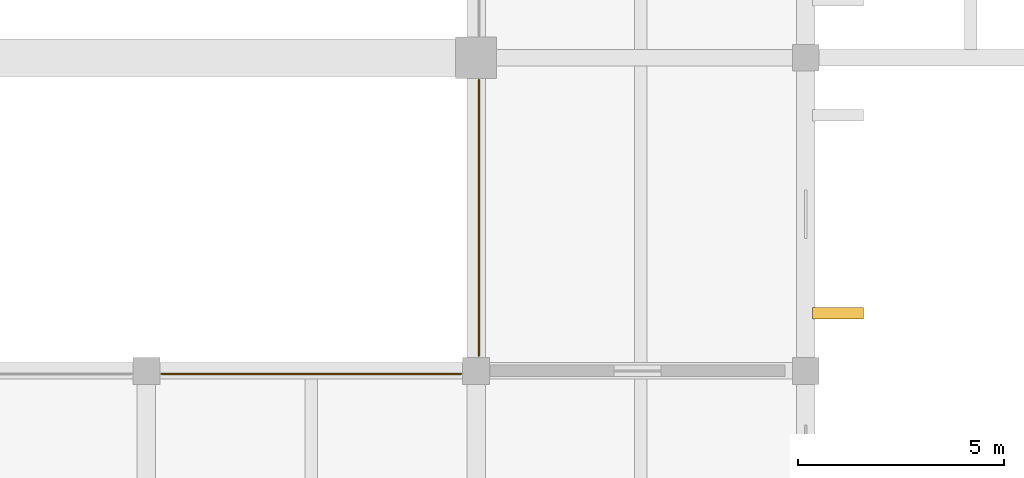
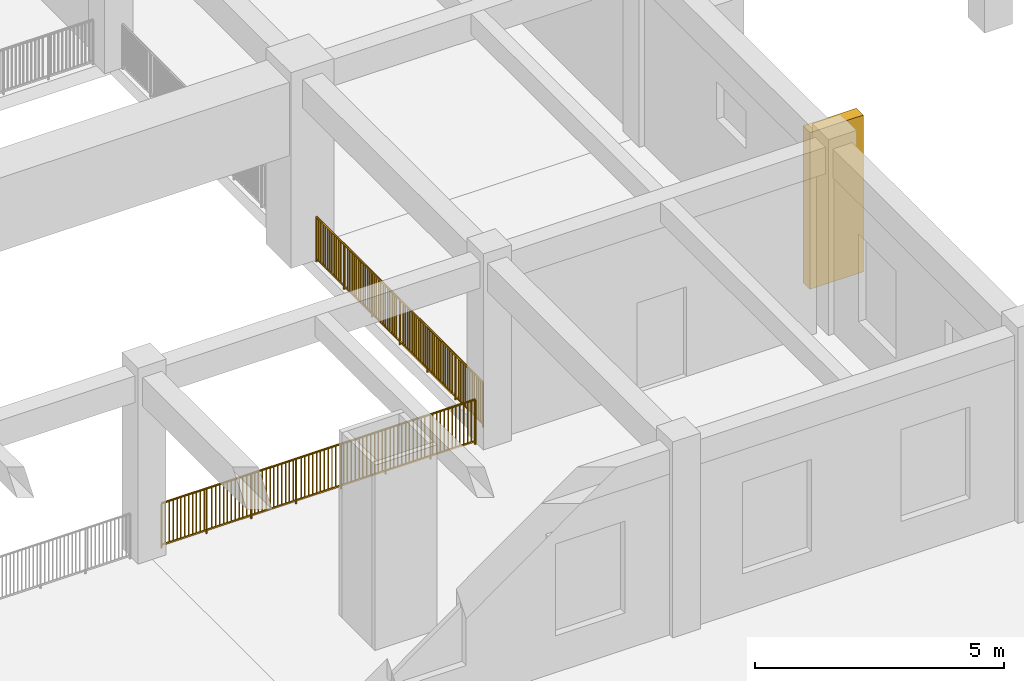
# One storey, part 87 of 101: 2 railings, 1 shading device.
"""IFC4 building model written with IfcOpenShell, lengths in metres."""

import ifcopenshell
import ifcopenshell.guid

model = None  # the IFC model being written
_history = None  # IfcOwnerHistory: only IFC2X3 demands one
_inside = {}  # id of a spatial element -> (the spatial element, [elements in it])
_under = {}  # id of a project, library or spatial element -> (it, [spatial elements below it])
_declared = {}  # id of a project -> (the project, [libraries it declares])
_typed = {}  # id of a type object -> (the type object, [elements of that type])
_made_of = {}  # id of a material, layer set ... -> (it, [elements and type objects made of it])


def new_model(schema):
    """Start an empty IFC model of exactly this schema.

    Asked for "IFC4X3", IfcOpenShell would pick the latest addendum, in which some entities
    have other attributes; the version numbers below select the first issue.
    IFC2X3 requires an IfcOwnerHistory on every rooted entity: one is made here for all.
    """
    global model, _history
    if schema == "IFC4X3":
        model = ifcopenshell.file(schema_version=(4, 3, 0, 0))
    else:
        model = ifcopenshell.file(schema=schema)
    _inside.clear()
    _under.clear()
    _declared.clear()
    _typed.clear()
    _made_of.clear()
    _history = None
    if model.schema == "IFC2X3":
        org = make("IfcOrganization", Name="unknown")
        user = make(
            "IfcPersonAndOrganization",
            ThePerson=make("IfcPerson", FamilyName="unknown"),
            TheOrganization=org,
        )
        app = make(
            "IfcApplication",
            ApplicationDeveloper=org,
            Version="unknown",
            ApplicationFullName="unknown",
            ApplicationIdentifier="unknown",
        )
        _history = make(
            "IfcOwnerHistory",
            OwningUser=user,
            OwningApplication=app,
            ChangeAction="ADDED",
            CreationDate=0,
        )
    return model


def make(cls, **values):
    """One entity of the class cls with the attributes given. An attribute that is None is left unset."""
    return model.create_entity(
        cls, **{name: value for name, value in values.items() if value is not None}
    )


def rooted(cls, **values):
    """An entity with a GlobalId (a new one), such as an element, a storey or a relation."""
    return make(cls, GlobalId=ifcopenshell.guid.new(), OwnerHistory=_history, **values)


def si_unit(unit_type, name, prefix=None):
    """IfcSIUnit, for example si_unit("LENGTHUNIT", "METRE", prefix="MILLI")."""
    return make("IfcSIUnit", UnitType=unit_type, Prefix=prefix, Name=name)


def assignment(units):
    """IfcUnitAssignment: the units of a project."""
    return None if units is None else make("IfcUnitAssignment", Units=units)


def point(xyz):
    """IfcCartesianPoint."""
    return None if xyz is None else make("IfcCartesianPoint", Coordinates=xyz)


def direction(xyz):
    """IfcDirection."""
    return None if xyz is None else make("IfcDirection", DirectionRatios=xyz)


def frame(location, z_axis=None, x_axis=None):
    """IfcAxis2Placement3D, a coordinate frame: its origin and axes. An axis left out is left unset."""
    return make(
        "IfcAxis2Placement3D",
        Location=point(location),
        Axis=direction(z_axis),
        RefDirection=direction(x_axis),
    )


def frame_2d(location, x_axis=None):
    """IfcAxis2Placement2D, a coordinate frame in the plane: its origin and x axis."""
    return make(
        "IfcAxis2Placement2D", Location=point(location), RefDirection=direction(x_axis)
    )


def origin():
    """The frame at (0, 0, 0) with its axes left unset."""
    return frame((0.0, 0.0, 0.0))


def origin_2d():
    """The frame at (0, 0) in the plane with its x axis left unset."""
    return frame_2d((0.0, 0.0))


def place(relative_to, where):
    """IfcLocalPlacement: puts the frame where relative to a parent placement (None: the world)."""
    return make(
        "IfcLocalPlacement", PlacementRelTo=relative_to, RelativePlacement=where
    )


def context(
    kind, dimensions, precision=None, world=None, true_north=None, identifier=None
):
    """IfcGeometricRepresentationContext, for example the 3D "Model" context."""
    return make(
        "IfcGeometricRepresentationContext",
        ContextIdentifier=identifier,
        ContextType=kind,
        CoordinateSpaceDimension=dimensions,
        Precision=precision,
        WorldCoordinateSystem=world,
        TrueNorth=true_north,
    )


def subcontext(parent, identifier, kind, view, scale=None):
    """IfcGeometricRepresentationSubContext, for example "Body" below "Model"."""
    return make(
        "IfcGeometricRepresentationSubContext",
        ContextIdentifier=identifier,
        ContextType=kind,
        ParentContext=parent,
        TargetScale=scale,
        TargetView=view,
    )


def project(units=None, contexts=None):
    """IfcProject with its units and contexts."""
    return rooted(
        "IfcProject",
        Name="project",
        RepresentationContexts=contexts,
        UnitsInContext=assignment(units),
    )


def spatial(cls, under=None, at=None, **own):
    """A site, building, storey or space (cls), placed at a placement, below another one or the project."""
    s = rooted(cls, ObjectPlacement=at, **own)
    if under is not None:
        _under.setdefault(under.id(), (under, []))[1].append(s)
    return s


def profile(cls, at=None, kind="AREA", **sizes):
    """A parametric profile (cls). Its sizes go by their IFC names, for example OverallWidth=200.0."""
    return make(cls, ProfileType=kind, Position=at, **sizes)


def rectangle(**sizes):
    """IfcRectangleProfileDef."""
    return profile("IfcRectangleProfileDef", **sizes)


def circle(**sizes):
    """IfcCircleProfileDef."""
    return profile("IfcCircleProfileDef", **sizes)


def extrude(swept, where, along, depth):
    """IfcExtrudedAreaSolid: the profile swept, set in the frame where, extruded along a direction by depth."""
    return make(
        "IfcExtrudedAreaSolid",
        SweptArea=swept,
        Position=where,
        ExtrudedDirection=direction(along),
        Depth=depth,
    )


def shape(context_of_items, identifier, shape_type, items):
    """IfcShapeRepresentation: the items that make up one representation, for example the "Body"."""
    return make(
        "IfcShapeRepresentation",
        ContextOfItems=context_of_items,
        RepresentationIdentifier=identifier,
        RepresentationType=shape_type,
        Items=items,
    )


def material(Name=None, Category=None):
    """IfcMaterial."""
    return make("IfcMaterial", Name=Name, Category=Category)


def made_of(thing, what):
    """Note that an element or type object is made of a material, layer set ...; save() writes the relation."""
    if what is not None:
        _made_of.setdefault(what.id(), (what, []))[1].append(thing)
    return thing


def type_object(cls, material=None, **own):
    """A type object (cls), such as IfcWallType, which elements share."""
    return made_of(rooted(cls, **own), material)


def element(
    cls,
    number,
    at=None,
    inside=None,
    cuts=None,
    type_object=None,
    material=None,
    context=None,
    identifier="Body",
    shape_type=None,
    held_by="IfcProductDefinitionShape",
    body=None,
    shapes=None,
    **own,
):
    """One element of the class cls, such as IfcWall. Its Tag is "e" and its number.

    at: its placement. inside: the storey or other place that contains it. cuts: it is an
    opening in that element (IfcRelVoidsElement). A single representation is given by context,
    identifier, shape_type and body (its items); several are given by shapes. held_by: the class
    of the entity that holds the representations. save() writes the other relations.
    """
    e = rooted(cls, Tag="e%d" % number, ObjectPlacement=at, **own)
    if body is not None:
        shapes = [shape(context, identifier, shape_type, body)]
    if shapes is not None:
        e.Representation = make(held_by, Representations=shapes)
    if inside is not None:
        _inside.setdefault(inside.id(), (inside, []))[1].append(e)
    if cuts is not None:
        rooted(
            "IfcRelVoidsElement", RelatingBuildingElement=cuts, RelatedOpeningElement=e
        )
    if type_object is not None:
        _typed.setdefault(type_object.id(), (type_object, []))[1].append(e)
    return made_of(e, material)


def aggregate(whole, parts):
    """IfcRelAggregates: a whole, such as a stair, and the parts it consists of."""
    return rooted("IfcRelAggregates", RelatingObject=whole, RelatedObjects=parts)


def save(model, path):
    """Write the relations noted so far, then the file.

    IfcRelAggregates (storeys below a building ...), IfcRelContainedInSpatialStructure (elements
    in a storey), IfcRelDefinesByType, IfcRelAssociatesMaterial and IfcRelDeclares: one each for
    every whole, place, type object, material and project.
    """
    for whole, parts in _under.values():
        aggregate(whole, parts)
    for where, things in _inside.values():
        rooted(
            "IfcRelContainedInSpatialStructure",
            RelatedElements=things,
            RelatingStructure=where,
        )
    for kind, things in _typed.values():
        rooted("IfcRelDefinesByType", RelatedObjects=things, RelatingType=kind)
    for what, things in _made_of.values():
        rooted("IfcRelAssociatesMaterial", RelatedObjects=things, RelatingMaterial=what)
    for by, libraries in _declared.values():
        rooted("IfcRelDeclares", RelatingContext=by, RelatedDefinitions=libraries)
    model.write(path)


model = new_model("IFC4")

# Units and contexts
model_context = context("Model", 3, precision=1e-05, world=origin(), true_north=direction((0.0, 1.0)))
body_context = subcontext(model_context, "Body", "Model", "MODEL_VIEW")
ifc_project = project(units=[si_unit("LENGTHUNIT", "METRE"), si_unit("AREAUNIT", "SQUARE_METRE"), si_unit("VOLUMEUNIT", "CUBIC_METRE"), si_unit("PLANEANGLEUNIT", "RADIAN"), si_unit("MASSUNIT", "GRAM", prefix="KILO")], contexts=[model_context])

# Site, building, storey
site_placement = place(None, origin())
site = spatial("IfcSite", under=ifc_project, at=site_placement, CompositionType="ELEMENT")
building_placement = place(site_placement, origin())
building = spatial("IfcBuilding", under=site, at=building_placement, Name="Zantavel Square City Hall", CompositionType="ELEMENT")
storey_placement = place(building_placement, frame((0.0, 0.0, 5.39990234375)))
storey = spatial("IfcBuildingStorey", under=building, at=storey_placement, Name="L02", CompositionType="ELEMENT", Elevation=5.39990234375)

# Railings
ifc_material_1 = material(Name="Steel ASTM A500 Grade B", Category="steel")
railing_type = type_object("IfcRailingType", Name="Atrium & Gallery Steel Guard Railing 1100mm", PredefinedType="GUARDRAIL", material=ifc_material_1)
railing_1_placement = place(storey_placement, frame((32.364990234375, 15.1298828125, 0.0)))
element("IfcRailing", 1, at=railing_1_placement, inside=storey, type_object=railing_type, Name="L02 Atrium Void Guard 006", PredefinedType="GUARDRAIL", context=body_context, shape_type="SweptSolid", body=[
    extrude(circle(Radius=0.02392578125, at=origin_2d()), frame((0.0, 0.0, 1.09619140625), z_axis=(1.0, 0.0, 0.0), x_axis=(0.0, 1.0, 0.0)), (0.0, 0.0, 1.0), 7.27001953125),
    extrude(rectangle(XDim=0.031982421875, YDim=0.031982421875, at=origin_2d()), frame((0.0, 0.0, 0.080078125), z_axis=(1.0, 0.0, 0.0), x_axis=(0.0, 1.0, 0.0)), (0.0, 0.0, 1.0), 7.27001953125),
    extrude(rectangle(XDim=0.02197265625, YDim=0.02197265625, at=origin_2d()), frame((0.08984375, 0.0, 0.080078125)), (0.0, 0.0, 1.0), 0.991943359375),
    extrude(rectangle(XDim=0.02197265625, YDim=0.02197265625, at=origin_2d()), frame((0.179443359375, 0.0, 0.080078125)), (0.0, 0.0, 1.0), 0.991943359375),
    extrude(rectangle(XDim=0.02197265625, YDim=0.02197265625, at=origin_2d()), frame((0.269287109375, 0.0, 0.080078125)), (0.0, 0.0, 1.0), 0.991943359375),
    extrude(rectangle(XDim=0.02197265625, YDim=0.02197265625, at=origin_2d()), frame((0.359130859375, 0.0, 0.080078125)), (0.0, 0.0, 1.0), 0.991943359375),
    extrude(rectangle(XDim=0.02197265625, YDim=0.02197265625, at=origin_2d()), frame((0.44873046875, 0.0, 0.080078125)), (0.0, 0.0, 1.0), 0.991943359375),
    extrude(rectangle(XDim=0.02197265625, YDim=0.02197265625, at=origin_2d()), frame((0.53857421875, 0.0, 0.080078125)), (0.0, 0.0, 1.0), 0.991943359375),
    extrude(rectangle(XDim=0.02197265625, YDim=0.02197265625, at=origin_2d()), frame((0.628173828125, 0.0, 0.080078125)), (0.0, 0.0, 1.0), 0.991943359375),
    extrude(rectangle(XDim=0.02197265625, YDim=0.02197265625, at=origin_2d()), frame((0.718017578125, 0.0, 0.080078125)), (0.0, 0.0, 1.0), 0.991943359375),
    extrude(rectangle(XDim=0.02197265625, YDim=0.02197265625, at=origin_2d()), frame((0.807861328125, 0.0, 0.080078125)), (0.0, 0.0, 1.0), 0.991943359375),
    extrude(rectangle(XDim=0.02197265625, YDim=0.02197265625, at=origin_2d()), frame((0.8974609375, 0.0, 0.080078125)), (0.0, 0.0, 1.0), 0.991943359375),
    extrude(rectangle(XDim=0.02197265625, YDim=0.02197265625, at=origin_2d()), frame((0.9873046875, 0.0, 0.080078125)), (0.0, 0.0, 1.0), 0.991943359375),
    extrude(rectangle(XDim=0.02197265625, YDim=0.02197265625, at=origin_2d()), frame((1.166748046875, 0.0, 0.080078125)), (0.0, 0.0, 1.0), 0.991943359375),
    extrude(rectangle(XDim=0.02197265625, YDim=0.02197265625, at=origin_2d()), frame((1.256591796875, 0.0, 0.080078125)), (0.0, 0.0, 1.0), 0.991943359375),
    extrude(rectangle(XDim=0.02197265625, YDim=0.02197265625, at=origin_2d()), frame((1.34619140625, 0.0, 0.080078125)), (0.0, 0.0, 1.0), 0.991943359375),
    extrude(rectangle(XDim=0.02197265625, YDim=0.02197265625, at=origin_2d()), frame((1.43603515625, 0.0, 0.080078125)), (0.0, 0.0, 1.0), 0.991943359375),
    extrude(rectangle(XDim=0.02197265625, YDim=0.02197265625, at=origin_2d()), frame((1.52587890625, 0.0, 0.080078125)), (0.0, 0.0, 1.0), 0.991943359375),
    extrude(rectangle(XDim=0.02197265625, YDim=0.02197265625, at=origin_2d()), frame((1.615478515625, 0.0, 0.080078125)), (0.0, 0.0, 1.0), 0.991943359375),
    extrude(rectangle(XDim=0.02197265625, YDim=0.02197265625, at=origin_2d()), frame((1.705322265625, 0.0, 0.080078125)), (0.0, 0.0, 1.0), 0.991943359375),
    extrude(rectangle(XDim=0.02197265625, YDim=0.02197265625, at=origin_2d()), frame((1.795166015625, 0.0, 0.080078125)), (0.0, 0.0, 1.0), 0.991943359375),
    extrude(rectangle(XDim=0.02197265625, YDim=0.02197265625, at=origin_2d()), frame((1.884765625, 0.0, 0.080078125)), (0.0, 0.0, 1.0), 0.991943359375),
    extrude(rectangle(XDim=0.02197265625, YDim=0.02197265625, at=origin_2d()), frame((1.974609375, 0.0, 0.080078125)), (0.0, 0.0, 1.0), 0.991943359375),
    extrude(rectangle(XDim=0.02197265625, YDim=0.02197265625, at=origin_2d()), frame((2.154052734375, 0.0, 0.080078125)), (0.0, 0.0, 1.0), 0.991943359375),
    extrude(rectangle(XDim=0.02197265625, YDim=0.02197265625, at=origin_2d()), frame((2.243896484375, 0.0, 0.080078125)), (0.0, 0.0, 1.0), 0.991943359375),
    extrude(rectangle(XDim=0.02197265625, YDim=0.02197265625, at=origin_2d()), frame((2.33349609375, 0.0, 0.080078125)), (0.0, 0.0, 1.0), 0.991943359375),
    extrude(rectangle(XDim=0.02197265625, YDim=0.02197265625, at=origin_2d()), frame((2.42333984375, 0.0, 0.080078125)), (0.0, 0.0, 1.0), 0.991943359375),
    extrude(rectangle(XDim=0.02197265625, YDim=0.02197265625, at=origin_2d()), frame((2.51318359375, 0.0, 0.080078125)), (0.0, 0.0, 1.0), 0.991943359375),
    extrude(rectangle(XDim=0.02197265625, YDim=0.02197265625, at=origin_2d()), frame((2.602783203125, 0.0, 0.080078125)), (0.0, 0.0, 1.0), 0.991943359375),
    extrude(rectangle(XDim=0.02197265625, YDim=0.02197265625, at=origin_2d()), frame((2.692626953125, 0.0, 0.080078125)), (0.0, 0.0, 1.0), 0.991943359375),
    extrude(rectangle(XDim=0.02197265625, YDim=0.02197265625, at=origin_2d()), frame((2.782470703125, 0.0, 0.080078125)), (0.0, 0.0, 1.0), 0.991943359375),
    extrude(rectangle(XDim=0.02197265625, YDim=0.02197265625, at=origin_2d()), frame((2.8720703125, 0.0, 0.080078125)), (0.0, 0.0, 1.0), 0.991943359375),
    extrude(rectangle(XDim=0.02197265625, YDim=0.02197265625, at=origin_2d()), frame((2.9619140625, 0.0, 0.080078125)), (0.0, 0.0, 1.0), 0.991943359375),
    extrude(rectangle(XDim=0.02197265625, YDim=0.02197265625, at=origin_2d()), frame((3.051513671875, 0.0, 0.080078125)), (0.0, 0.0, 1.0), 0.991943359375),
    extrude(rectangle(XDim=0.02197265625, YDim=0.02197265625, at=origin_2d()), frame((3.231201171875, 0.0, 0.080078125)), (0.0, 0.0, 1.0), 0.991943359375),
    extrude(rectangle(XDim=0.02197265625, YDim=0.02197265625, at=origin_2d()), frame((3.32080078125, 0.0, 0.080078125)), (0.0, 0.0, 1.0), 0.991943359375),
    extrude(rectangle(XDim=0.02197265625, YDim=0.02197265625, at=origin_2d()), frame((3.41064453125, 0.0, 0.080078125)), (0.0, 0.0, 1.0), 0.991943359375),
    extrude(rectangle(XDim=0.02197265625, YDim=0.02197265625, at=origin_2d()), frame((3.50048828125, 0.0, 0.080078125)), (0.0, 0.0, 1.0), 0.991943359375),
    extrude(rectangle(XDim=0.02197265625, YDim=0.02197265625, at=origin_2d()), frame((3.590087890625, 0.0, 0.080078125)), (0.0, 0.0, 1.0), 0.991943359375),
    extrude(rectangle(XDim=0.02197265625, YDim=0.02197265625, at=origin_2d()), frame((3.679931640625, 0.0, 0.080078125)), (0.0, 0.0, 1.0), 0.991943359375),
    extrude(rectangle(XDim=0.02197265625, YDim=0.02197265625, at=origin_2d()), frame((3.76953125, 0.0, 0.080078125)), (0.0, 0.0, 1.0), 0.991943359375),
    extrude(rectangle(XDim=0.02197265625, YDim=0.02197265625, at=origin_2d()), frame((3.859375, 0.0, 0.080078125)), (0.0, 0.0, 1.0), 0.991943359375),
    extrude(rectangle(XDim=0.02197265625, YDim=0.02197265625, at=origin_2d()), frame((3.94921875, 0.0, 0.080078125)), (0.0, 0.0, 1.0), 0.991943359375),
    extrude(rectangle(XDim=0.02197265625, YDim=0.02197265625, at=origin_2d()), frame((4.038818359375, 0.0, 0.080078125)), (0.0, 0.0, 1.0), 0.991943359375),
    extrude(rectangle(XDim=0.02197265625, YDim=0.02197265625, at=origin_2d()), frame((4.218505859375, 0.0, 0.080078125)), (0.0, 0.0, 1.0), 0.991943359375),
    extrude(rectangle(XDim=0.02197265625, YDim=0.02197265625, at=origin_2d()), frame((4.30810546875, 0.0, 0.080078125)), (0.0, 0.0, 1.0), 0.991943359375),
    extrude(rectangle(XDim=0.02197265625, YDim=0.02197265625, at=origin_2d()), frame((4.39794921875, 0.0, 0.080078125)), (0.0, 0.0, 1.0), 0.991943359375),
    extrude(rectangle(XDim=0.02197265625, YDim=0.02197265625, at=origin_2d()), frame((4.487548828125, 0.0, 0.080078125)), (0.0, 0.0, 1.0), 0.991943359375),
    extrude(rectangle(XDim=0.02197265625, YDim=0.02197265625, at=origin_2d()), frame((4.577392578125, 0.0, 0.080078125)), (0.0, 0.0, 1.0), 0.991943359375),
    extrude(rectangle(XDim=0.02197265625, YDim=0.02197265625, at=origin_2d()), frame((4.667236328125, 0.0, 0.080078125)), (0.0, 0.0, 1.0), 0.991943359375),
    extrude(rectangle(XDim=0.02197265625, YDim=0.02197265625, at=origin_2d()), frame((4.7568359375, 0.0, 0.080078125)), (0.0, 0.0, 1.0), 0.991943359375),
    extrude(rectangle(XDim=0.02197265625, YDim=0.02197265625, at=origin_2d()), frame((4.8466796875, 0.0, 0.080078125)), (0.0, 0.0, 1.0), 0.991943359375),
    extrude(rectangle(XDim=0.02197265625, YDim=0.02197265625, at=origin_2d()), frame((4.9365234375, 0.0, 0.080078125)), (0.0, 0.0, 1.0), 0.991943359375),
    extrude(rectangle(XDim=0.02197265625, YDim=0.02197265625, at=origin_2d()), frame((5.026123046875, 0.0, 0.080078125)), (0.0, 0.0, 1.0), 0.991943359375),
    extrude(rectangle(XDim=0.02197265625, YDim=0.02197265625, at=origin_2d()), frame((5.115966796875, 0.0, 0.080078125)), (0.0, 0.0, 1.0), 0.991943359375),
    extrude(rectangle(XDim=0.02197265625, YDim=0.02197265625, at=origin_2d()), frame((5.29541015625, 0.0, 0.080078125)), (0.0, 0.0, 1.0), 0.991943359375),
    extrude(rectangle(XDim=0.02197265625, YDim=0.02197265625, at=origin_2d()), frame((5.38525390625, 0.0, 0.080078125)), (0.0, 0.0, 1.0), 0.991943359375),
    extrude(rectangle(XDim=0.02197265625, YDim=0.02197265625, at=origin_2d()), frame((5.474853515625, 0.0, 0.080078125)), (0.0, 0.0, 1.0), 0.991943359375),
    extrude(rectangle(XDim=0.02197265625, YDim=0.02197265625, at=origin_2d()), frame((5.564697265625, 0.0, 0.080078125)), (0.0, 0.0, 1.0), 0.991943359375),
    extrude(rectangle(XDim=0.02197265625, YDim=0.02197265625, at=origin_2d()), frame((5.654541015625, 0.0, 0.080078125)), (0.0, 0.0, 1.0), 0.991943359375),
    extrude(rectangle(XDim=0.02197265625, YDim=0.02197265625, at=origin_2d()), frame((5.744140625, 0.0, 0.080078125)), (0.0, 0.0, 1.0), 0.991943359375),
    extrude(rectangle(XDim=0.02197265625, YDim=0.02197265625, at=origin_2d()), frame((5.833984375, 0.0, 0.080078125)), (0.0, 0.0, 1.0), 0.991943359375),
    extrude(rectangle(XDim=0.02197265625, YDim=0.02197265625, at=origin_2d()), frame((5.923828125, 0.0, 0.080078125)), (0.0, 0.0, 1.0), 0.991943359375),
    extrude(rectangle(XDim=0.02197265625, YDim=0.02197265625, at=origin_2d()), frame((6.013427734375, 0.0, 0.080078125)), (0.0, 0.0, 1.0), 0.991943359375),
    extrude(rectangle(XDim=0.02197265625, YDim=0.02197265625, at=origin_2d()), frame((6.103271484375, 0.0, 0.080078125)), (0.0, 0.0, 1.0), 0.991943359375),
    extrude(rectangle(XDim=0.02197265625, YDim=0.02197265625, at=origin_2d()), frame((6.28271484375, 0.0, 0.080078125)), (0.0, 0.0, 1.0), 0.991943359375),
    extrude(rectangle(XDim=0.02197265625, YDim=0.02197265625, at=origin_2d()), frame((6.37255859375, 0.0, 0.080078125)), (0.0, 0.0, 1.0), 0.991943359375),
    extrude(rectangle(XDim=0.02197265625, YDim=0.02197265625, at=origin_2d()), frame((6.462158203125, 0.0, 0.080078125)), (0.0, 0.0, 1.0), 0.991943359375),
    extrude(rectangle(XDim=0.02197265625, YDim=0.02197265625, at=origin_2d()), frame((6.552001953125, 0.0, 0.080078125)), (0.0, 0.0, 1.0), 0.991943359375),
    extrude(rectangle(XDim=0.02197265625, YDim=0.02197265625, at=origin_2d()), frame((6.641845703125, 0.0, 0.080078125)), (0.0, 0.0, 1.0), 0.991943359375),
    extrude(rectangle(XDim=0.02197265625, YDim=0.02197265625, at=origin_2d()), frame((6.7314453125, 0.0, 0.080078125)), (0.0, 0.0, 1.0), 0.991943359375),
    extrude(rectangle(XDim=0.02197265625, YDim=0.02197265625, at=origin_2d()), frame((6.8212890625, 0.0, 0.080078125)), (0.0, 0.0, 1.0), 0.991943359375),
    extrude(rectangle(XDim=0.02197265625, YDim=0.02197265625, at=origin_2d()), frame((6.910888671875, 0.0, 0.080078125)), (0.0, 0.0, 1.0), 0.991943359375),
    extrude(rectangle(XDim=0.02197265625, YDim=0.02197265625, at=origin_2d()), frame((7.000732421875, 0.0, 0.080078125)), (0.0, 0.0, 1.0), 0.991943359375),
    extrude(rectangle(XDim=0.02197265625, YDim=0.02197265625, at=origin_2d()), frame((7.090576171875, 0.0, 0.080078125)), (0.0, 0.0, 1.0), 0.991943359375),
    extrude(rectangle(XDim=0.02197265625, YDim=0.02197265625, at=origin_2d()), frame((7.18017578125, 0.0, 0.080078125)), (0.0, 0.0, 1.0), 0.991943359375),
    extrude(circle(Radius=0.02099609375, at=origin_2d()), origin(), (0.0, 0.0, 1.0), 1.072021484375),
    extrude(circle(Radius=0.02099609375, at=origin_2d()), frame((1.03857421875, 0.0, 0.0)), (0.0, 0.0, 1.0), 1.072021484375),
    extrude(circle(Radius=0.02099609375, at=origin_2d()), frame((2.0771484375, 0.0, 0.0)), (0.0, 0.0, 1.0), 1.072021484375),
    extrude(circle(Radius=0.02099609375, at=origin_2d()), frame((3.11572265625, 0.0, 0.0)), (0.0, 0.0, 1.0), 1.072021484375),
    extrude(circle(Radius=0.02099609375, at=origin_2d()), frame((4.154296875, 0.0, 0.0)), (0.0, 0.0, 1.0), 1.072021484375),
    extrude(circle(Radius=0.02099609375, at=origin_2d()), frame((5.19287109375, 0.0, 0.0)), (0.0, 0.0, 1.0), 1.072021484375),
    extrude(circle(Radius=0.02099609375, at=origin_2d()), frame((6.2314453125, 0.0, 0.0)), (0.0, 0.0, 1.0), 1.072021484375),
    extrude(circle(Radius=0.02099609375, at=origin_2d()), frame((7.27001953125, 0.0, 0.0)), (0.0, 0.0, 1.0), 1.072021484375),
])
railing_2_placement = place(storey_placement, frame((40.070068359375, 15.56494140625, 0.0)))
element("IfcRailing", 2, at=railing_2_placement, inside=storey, type_object=railing_type, Name="L02 Atrium Void Guard 008", PredefinedType="GUARDRAIL", context=body_context, shape_type="SweptSolid", body=[
    extrude(circle(Radius=0.02392578125, at=origin_2d()), frame((0.0, 0.0, 1.09619140625), z_axis=(0.0, 1.0, 0.0), x_axis=(-1.0, 0.0, 0.0)), (0.0, 0.0, 1.0), 6.695068359375),
    extrude(rectangle(XDim=0.031982421875, YDim=0.031982421875, at=origin_2d()), frame((0.0, 0.0, 0.080078125), z_axis=(0.0, 1.0, 0.0), x_axis=(-1.0, 0.0, 0.0)), (0.0, 0.0, 1.0), 6.695068359375),
    extrude(rectangle(XDim=0.02197265625, YDim=0.02197265625, at=origin_2d()), frame((0.0, 0.08935546875, 0.080078125)), (0.0, 0.0, 1.0), 0.991943359375),
    extrude(rectangle(XDim=0.02197265625, YDim=0.02197265625, at=origin_2d()), frame((0.0, 0.178466796875, 0.080078125)), (0.0, 0.0, 1.0), 0.991943359375),
    extrude(rectangle(XDim=0.02197265625, YDim=0.02197265625, at=origin_2d()), frame((0.0, 0.267822265625, 0.080078125)), (0.0, 0.0, 1.0), 0.991943359375),
    extrude(rectangle(XDim=0.02197265625, YDim=0.02197265625, at=origin_2d()), frame((0.0, 0.357177734375, 0.080078125)), (0.0, 0.0, 1.0), 0.991943359375),
    extrude(rectangle(XDim=0.02197265625, YDim=0.02197265625, at=origin_2d()), frame((0.0, 0.4462890625, 0.080078125)), (0.0, 0.0, 1.0), 0.991943359375),
    extrude(rectangle(XDim=0.02197265625, YDim=0.02197265625, at=origin_2d()), frame((0.0, 0.53564453125, 0.080078125)), (0.0, 0.0, 1.0), 0.991943359375),
    extrude(rectangle(XDim=0.02197265625, YDim=0.02197265625, at=origin_2d()), frame((0.0, 0.624755859375, 0.080078125)), (0.0, 0.0, 1.0), 0.991943359375),
    extrude(rectangle(XDim=0.02197265625, YDim=0.02197265625, at=origin_2d()), frame((0.0, 0.714111328125, 0.080078125)), (0.0, 0.0, 1.0), 0.991943359375),
    extrude(rectangle(XDim=0.02197265625, YDim=0.02197265625, at=origin_2d()), frame((0.0, 0.803466796875, 0.080078125)), (0.0, 0.0, 1.0), 0.991943359375),
    extrude(rectangle(XDim=0.02197265625, YDim=0.02197265625, at=origin_2d()), frame((0.0, 0.892578125, 0.080078125)), (0.0, 0.0, 1.0), 0.991943359375),
    extrude(rectangle(XDim=0.02197265625, YDim=0.02197265625, at=origin_2d()), frame((0.0, 0.98193359375, 0.080078125)), (0.0, 0.0, 1.0), 0.991943359375),
    extrude(rectangle(XDim=0.02197265625, YDim=0.02197265625, at=origin_2d()), frame((0.0, 1.249755859375, 0.080078125)), (0.0, 0.0, 1.0), 0.991943359375),
    extrude(rectangle(XDim=0.02197265625, YDim=0.02197265625, at=origin_2d()), frame((0.0, 1.339111328125, 0.080078125)), (0.0, 0.0, 1.0), 0.991943359375),
    extrude(rectangle(XDim=0.02197265625, YDim=0.02197265625, at=origin_2d()), frame((0.0, 1.42822265625, 0.080078125)), (0.0, 0.0, 1.0), 0.991943359375),
    extrude(rectangle(XDim=0.02197265625, YDim=0.02197265625, at=origin_2d()), frame((0.0, 1.517578125, 0.080078125)), (0.0, 0.0, 1.0), 0.991943359375),
    extrude(rectangle(XDim=0.02197265625, YDim=0.02197265625, at=origin_2d()), frame((0.0, 1.60693359375, 0.080078125)), (0.0, 0.0, 1.0), 0.991943359375),
    extrude(rectangle(XDim=0.02197265625, YDim=0.02197265625, at=origin_2d()), frame((0.0, 1.696044921875, 0.080078125)), (0.0, 0.0, 1.0), 0.991943359375),
    extrude(rectangle(XDim=0.02197265625, YDim=0.02197265625, at=origin_2d()), frame((0.0, 1.785400390625, 0.080078125)), (0.0, 0.0, 1.0), 0.991943359375),
    extrude(rectangle(XDim=0.02197265625, YDim=0.02197265625, at=origin_2d()), frame((0.0, 1.87451171875, 0.080078125)), (0.0, 0.0, 1.0), 0.991943359375),
    extrude(rectangle(XDim=0.02197265625, YDim=0.02197265625, at=origin_2d()), frame((0.0, 1.9638671875, 0.080078125)), (0.0, 0.0, 1.0), 0.991943359375),
    extrude(rectangle(XDim=0.02197265625, YDim=0.02197265625, at=origin_2d()), frame((0.0, 2.05322265625, 0.080078125)), (0.0, 0.0, 1.0), 0.991943359375),
    extrude(rectangle(XDim=0.02197265625, YDim=0.02197265625, at=origin_2d()), frame((0.0, 2.142333984375, 0.080078125)), (0.0, 0.0, 1.0), 0.991943359375),
    extrude(rectangle(XDim=0.02197265625, YDim=0.02197265625, at=origin_2d()), frame((0.0, 2.321044921875, 0.080078125)), (0.0, 0.0, 1.0), 0.991943359375),
    extrude(rectangle(XDim=0.02197265625, YDim=0.02197265625, at=origin_2d()), frame((0.0, 2.41015625, 0.080078125)), (0.0, 0.0, 1.0), 0.991943359375),
    extrude(rectangle(XDim=0.02197265625, YDim=0.02197265625, at=origin_2d()), frame((0.0, 2.49951171875, 0.080078125)), (0.0, 0.0, 1.0), 0.991943359375),
    extrude(rectangle(XDim=0.02197265625, YDim=0.02197265625, at=origin_2d()), frame((0.0, 2.5888671875, 0.080078125)), (0.0, 0.0, 1.0), 0.991943359375),
    extrude(rectangle(XDim=0.02197265625, YDim=0.02197265625, at=origin_2d()), frame((0.0, 2.677978515625, 0.080078125)), (0.0, 0.0, 1.0), 0.991943359375),
    extrude(rectangle(XDim=0.02197265625, YDim=0.02197265625, at=origin_2d()), frame((0.0, 2.767333984375, 0.080078125)), (0.0, 0.0, 1.0), 0.991943359375),
    extrude(rectangle(XDim=0.02197265625, YDim=0.02197265625, at=origin_2d()), frame((0.0, 2.8564453125, 0.080078125)), (0.0, 0.0, 1.0), 0.991943359375),
    extrude(rectangle(XDim=0.02197265625, YDim=0.02197265625, at=origin_2d()), frame((0.0, 2.94580078125, 0.080078125)), (0.0, 0.0, 1.0), 0.991943359375),
    extrude(rectangle(XDim=0.02197265625, YDim=0.02197265625, at=origin_2d()), frame((0.0, 3.03515625, 0.080078125)), (0.0, 0.0, 1.0), 0.991943359375),
    extrude(rectangle(XDim=0.02197265625, YDim=0.02197265625, at=origin_2d()), frame((0.0, 3.124267578125, 0.080078125)), (0.0, 0.0, 1.0), 0.991943359375),
    extrude(rectangle(XDim=0.02197265625, YDim=0.02197265625, at=origin_2d()), frame((0.0, 3.213623046875, 0.080078125)), (0.0, 0.0, 1.0), 0.991943359375),
    extrude(rectangle(XDim=0.02197265625, YDim=0.02197265625, at=origin_2d()), frame((0.0, 3.4814453125, 0.080078125)), (0.0, 0.0, 1.0), 0.991943359375),
    extrude(rectangle(XDim=0.02197265625, YDim=0.02197265625, at=origin_2d()), frame((0.0, 3.57080078125, 0.080078125)), (0.0, 0.0, 1.0), 0.991943359375),
    extrude(rectangle(XDim=0.02197265625, YDim=0.02197265625, at=origin_2d()), frame((0.0, 3.659912109375, 0.080078125)), (0.0, 0.0, 1.0), 0.991943359375),
    extrude(rectangle(XDim=0.02197265625, YDim=0.02197265625, at=origin_2d()), frame((0.0, 3.749267578125, 0.080078125)), (0.0, 0.0, 1.0), 0.991943359375),
    extrude(rectangle(XDim=0.02197265625, YDim=0.02197265625, at=origin_2d()), frame((0.0, 3.838623046875, 0.080078125)), (0.0, 0.0, 1.0), 0.991943359375),
    extrude(rectangle(XDim=0.02197265625, YDim=0.02197265625, at=origin_2d()), frame((0.0, 3.927734375, 0.080078125)), (0.0, 0.0, 1.0), 0.991943359375),
    extrude(rectangle(XDim=0.02197265625, YDim=0.02197265625, at=origin_2d()), frame((0.0, 4.01708984375, 0.080078125)), (0.0, 0.0, 1.0), 0.991943359375),
    extrude(rectangle(XDim=0.02197265625, YDim=0.02197265625, at=origin_2d()), frame((0.0, 4.106201171875, 0.080078125)), (0.0, 0.0, 1.0), 0.991943359375),
    extrude(rectangle(XDim=0.02197265625, YDim=0.02197265625, at=origin_2d()), frame((0.0, 4.195556640625, 0.080078125)), (0.0, 0.0, 1.0), 0.991943359375),
    extrude(rectangle(XDim=0.02197265625, YDim=0.02197265625, at=origin_2d()), frame((0.0, 4.284912109375, 0.080078125)), (0.0, 0.0, 1.0), 0.991943359375),
    extrude(rectangle(XDim=0.02197265625, YDim=0.02197265625, at=origin_2d()), frame((0.0, 4.3740234375, 0.080078125)), (0.0, 0.0, 1.0), 0.991943359375),
    extrude(rectangle(XDim=0.02197265625, YDim=0.02197265625, at=origin_2d()), frame((0.0, 4.552734375, 0.080078125)), (0.0, 0.0, 1.0), 0.991943359375),
    extrude(rectangle(XDim=0.02197265625, YDim=0.02197265625, at=origin_2d()), frame((0.0, 4.641845703125, 0.080078125)), (0.0, 0.0, 1.0), 0.991943359375),
    extrude(rectangle(XDim=0.02197265625, YDim=0.02197265625, at=origin_2d()), frame((0.0, 4.731201171875, 0.080078125)), (0.0, 0.0, 1.0), 0.991943359375),
    extrude(rectangle(XDim=0.02197265625, YDim=0.02197265625, at=origin_2d()), frame((0.0, 4.820556640625, 0.080078125)), (0.0, 0.0, 1.0), 0.991943359375),
    extrude(rectangle(XDim=0.02197265625, YDim=0.02197265625, at=origin_2d()), frame((0.0, 4.90966796875, 0.080078125)), (0.0, 0.0, 1.0), 0.991943359375),
    extrude(rectangle(XDim=0.02197265625, YDim=0.02197265625, at=origin_2d()), frame((0.0, 4.9990234375, 0.080078125)), (0.0, 0.0, 1.0), 0.991943359375),
    extrude(rectangle(XDim=0.02197265625, YDim=0.02197265625, at=origin_2d()), frame((0.0, 5.088134765625, 0.080078125)), (0.0, 0.0, 1.0), 0.991943359375),
    extrude(rectangle(XDim=0.02197265625, YDim=0.02197265625, at=origin_2d()), frame((0.0, 5.177490234375, 0.080078125)), (0.0, 0.0, 1.0), 0.991943359375),
    extrude(rectangle(XDim=0.02197265625, YDim=0.02197265625, at=origin_2d()), frame((0.0, 5.266845703125, 0.080078125)), (0.0, 0.0, 1.0), 0.991943359375),
    extrude(rectangle(XDim=0.02197265625, YDim=0.02197265625, at=origin_2d()), frame((0.0, 5.35595703125, 0.080078125)), (0.0, 0.0, 1.0), 0.991943359375),
    extrude(rectangle(XDim=0.02197265625, YDim=0.02197265625, at=origin_2d()), frame((0.0, 5.4453125, 0.080078125)), (0.0, 0.0, 1.0), 0.991943359375),
    extrude(rectangle(XDim=0.02197265625, YDim=0.02197265625, at=origin_2d()), frame((0.0, 5.713134765625, 0.080078125)), (0.0, 0.0, 1.0), 0.991943359375),
    extrude(rectangle(XDim=0.02197265625, YDim=0.02197265625, at=origin_2d()), frame((0.0, 5.802490234375, 0.080078125)), (0.0, 0.0, 1.0), 0.991943359375),
    extrude(rectangle(XDim=0.02197265625, YDim=0.02197265625, at=origin_2d()), frame((0.0, 5.8916015625, 0.080078125)), (0.0, 0.0, 1.0), 0.991943359375),
    extrude(rectangle(XDim=0.02197265625, YDim=0.02197265625, at=origin_2d()), frame((0.0, 5.98095703125, 0.080078125)), (0.0, 0.0, 1.0), 0.991943359375),
    extrude(rectangle(XDim=0.02197265625, YDim=0.02197265625, at=origin_2d()), frame((0.0, 6.0703125, 0.080078125)), (0.0, 0.0, 1.0), 0.991943359375),
    extrude(rectangle(XDim=0.02197265625, YDim=0.02197265625, at=origin_2d()), frame((0.0, 6.159423828125, 0.080078125)), (0.0, 0.0, 1.0), 0.991943359375),
    extrude(rectangle(XDim=0.02197265625, YDim=0.02197265625, at=origin_2d()), frame((0.0, 6.248779296875, 0.080078125)), (0.0, 0.0, 1.0), 0.991943359375),
    extrude(rectangle(XDim=0.02197265625, YDim=0.02197265625, at=origin_2d()), frame((0.0, 6.337890625, 0.080078125)), (0.0, 0.0, 1.0), 0.991943359375),
    extrude(rectangle(XDim=0.02197265625, YDim=0.02197265625, at=origin_2d()), frame((0.0, 6.42724609375, 0.080078125)), (0.0, 0.0, 1.0), 0.991943359375),
    extrude(rectangle(XDim=0.02197265625, YDim=0.02197265625, at=origin_2d()), frame((0.0, 6.5166015625, 0.080078125)), (0.0, 0.0, 1.0), 0.991943359375),
    extrude(rectangle(XDim=0.02197265625, YDim=0.02197265625, at=origin_2d()), frame((0.0, 6.605712890625, 0.080078125)), (0.0, 0.0, 1.0), 0.991943359375),
    extrude(circle(Radius=0.02099609375, at=origin_2d()), origin(), (0.0, 0.0, 1.0), 1.072021484375),
    extrude(circle(Radius=0.02099609375, at=origin_2d()), frame((0.0, 1.11572265625, 0.0)), (0.0, 0.0, 1.0), 1.072021484375),
    extrude(circle(Radius=0.02099609375, at=origin_2d()), frame((0.0, 2.231689453125, 0.0)), (0.0, 0.0, 1.0), 1.072021484375),
    extrude(circle(Radius=0.02099609375, at=origin_2d()), frame((0.0, 3.34765625, 0.0)), (0.0, 0.0, 1.0), 1.072021484375),
    extrude(circle(Radius=0.02099609375, at=origin_2d()), frame((0.0, 4.46337890625, 0.0)), (0.0, 0.0, 1.0), 1.072021484375),
    extrude(circle(Radius=0.02099609375, at=origin_2d()), frame((0.0, 5.5791015625, 0.0)), (0.0, 0.0, 1.0), 1.072021484375),
    extrude(circle(Radius=0.02099609375, at=origin_2d()), frame((0.0, 6.695068359375, 0.0)), (0.0, 0.0, 1.0), 1.072021484375),
])

# Shading device
ifc_material_2 = material(Name="Cantera volcanic tuff stone", Category="masonry")
shading_device_type = type_object("IfcShadingDeviceType", Name="Cantera Vertical Solar Shading Pier 280x1240", PredefinedType="USERDEFINED", material=ifc_material_2)
shading_device_placement = place(storey_placement, frame((48.780029296875, 16.60009765625, 0.0), z_axis=(0.0, 0.0, 1.0), x_axis=(1.0, 0.0, 0.0)))
element("IfcShadingDevice", 3, at=shading_device_placement, inside=storey, type_object=shading_device_type, Name="L02 Cantera Solar Pier 018", ObjectType="FIN", PredefinedType="USERDEFINED", context=body_context, shape_type="SweptSolid", body=[
    extrude(rectangle(XDim=1.239990234375, YDim=0.280029296875, at=origin_2d()), origin(), (0.0, 0.0, 1.0), 3.840087890625),
])

save(model, "model.ifc")
